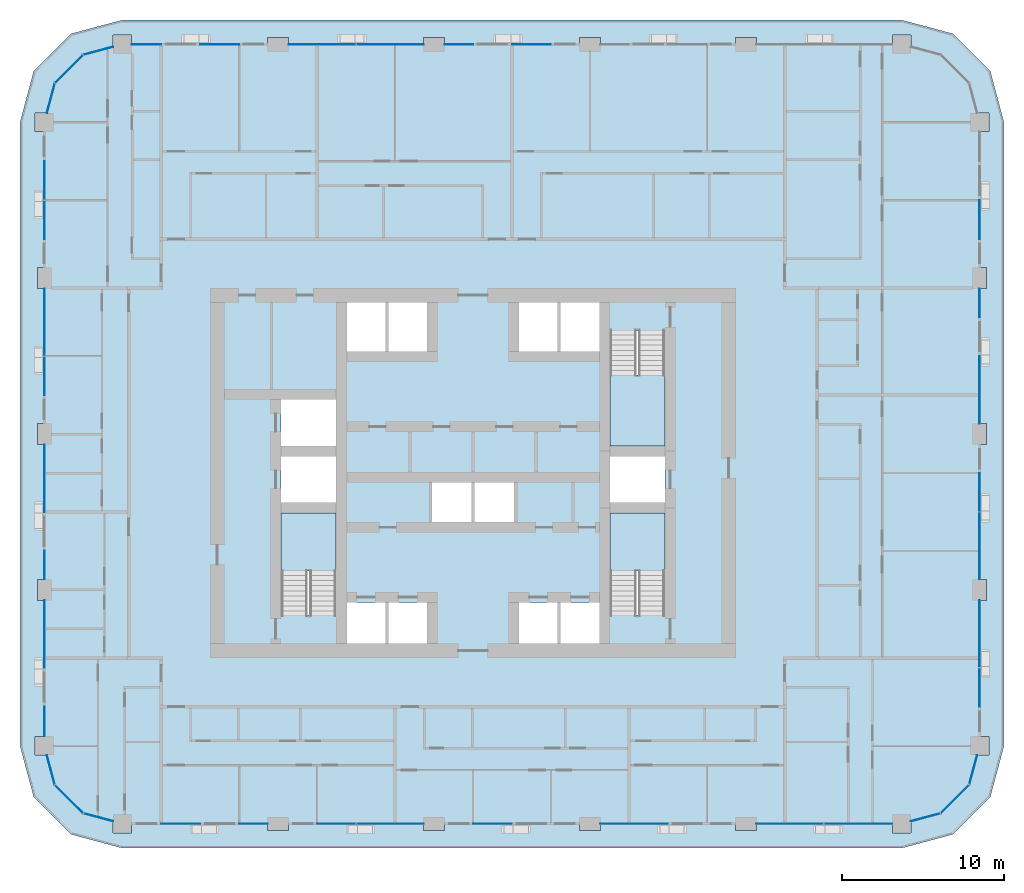
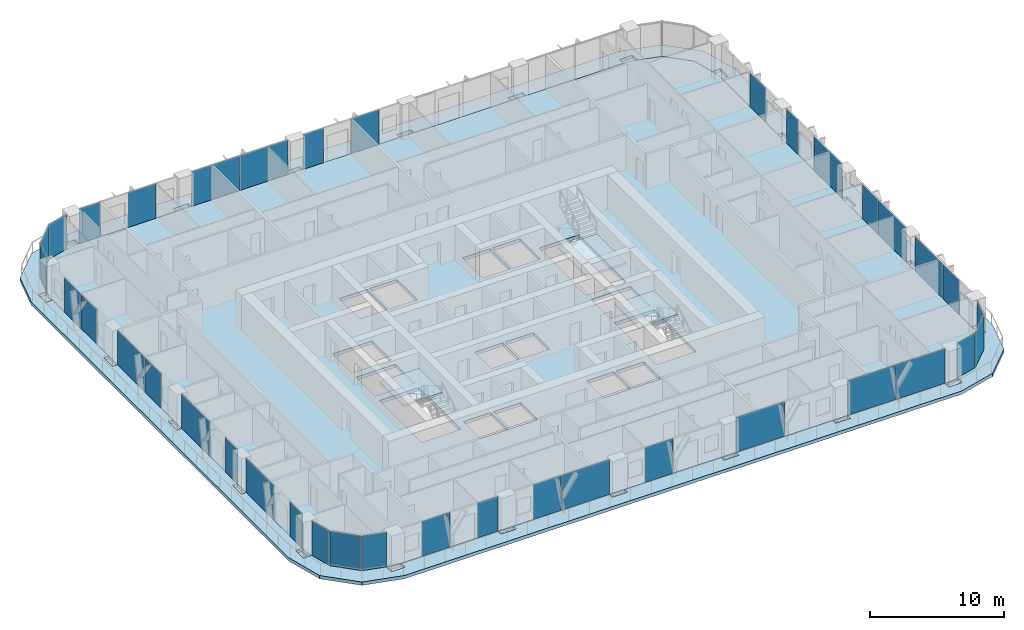
# One storey, part 7 of 22: 38 plates, 5 slabs, 22 elements without a shape of their own.
"""IFC4 building model written with IfcOpenShell, lengths in metres."""

from ifc_helpers import new_model, si_unit, direction, frame, origin, origin_2d, place, context, subcontext, project, spatial, polyline, rectangle, outline, extrude, material, layer, layer_set, type_object, element, aggregate, save


model = new_model("IFC4")

# Units and contexts
model_context = context("Model", 3, precision=1e-05, world=origin(), true_north=direction((0.0, 1.0)))
body_context = subcontext(model_context, "Body", "Model", "MODEL_VIEW")
ifc_project = project(units=[si_unit("LENGTHUNIT", "METRE"), si_unit("AREAUNIT", "SQUARE_METRE"), si_unit("VOLUMEUNIT", "CUBIC_METRE"), si_unit("PLANEANGLEUNIT", "RADIAN"), si_unit("MASSUNIT", "GRAM", prefix="KILO")], contexts=[model_context])

# Site, building, storey
site_placement = place(None, origin())
site = spatial("IfcSite", under=ifc_project, at=site_placement, CompositionType="ELEMENT")
building_placement = place(site_placement, origin())
building = spatial("IfcBuilding", under=site, at=building_placement, Name="Madar Terraces", CompositionType="ELEMENT")
storey_placement = place(building_placement, frame((0.0, 0.0, 103.199951171875)))
storey = spatial("IfcBuildingStorey", under=building, at=storey_placement, Name="L26", CompositionType="ELEMENT", Elevation=103.199951171875)

# Slabs
ifc_material_1 = material(Name="Concrete C50/60", Category="concrete")
ifc_layer_1 = layer(ifc_material_1, 0.300048828125)
ifc_layer_set_1 = layer_set([ifc_layer_1], Name="Balcony band 300")
slab_type_1 = type_object("IfcSlabType", Name="Balcony band 300", PredefinedType="FLOOR", material=ifc_layer_set_1)
slab_1_placement = place(storey_placement, frame((0.0, 0.0, -0.300048828125)))
element("IfcSlab", 1, at=slab_1_placement, inside=storey, type_object=slab_type_1, Name="Balcony band", PredefinedType="FLOOR", context=body_context, shape_type="SweptSolid", body=[
    extrude(outline(polyline([(9.60009765625, 3.300048828125), (6.449951171875, 4.14404296875), (4.14404296875, 6.449951171875), (3.300048828125, 9.60009765625), (3.300048828125, 48.0), (4.14404296875, 51.14990234375), (6.449951171875, 53.4560546875), (9.60009765625, 54.300048828125), (57.60009765625, 54.300048828125), (60.75, 53.4560546875), (63.055908203125, 51.14990234375), (63.89990234375, 48.0), (63.89990234375, 9.60009765625), (63.055908203125, 6.449951171875), (60.75, 4.14404296875), (57.60009765625, 3.300048828125), (9.60009765625, 3.300048828125)]), holes=[polyline([(10.175048828125, 4.22509765625), (10.175048828125, 4.800048828125), (18.550048828125, 4.800048828125), (18.550048828125, 4.375), (19.85009765625, 4.375), (19.85009765625, 4.800048828125), (28.14990234375, 4.800048828125), (28.14990234375, 4.375), (29.449951171875, 4.375), (29.449951171875, 4.800048828125), (37.75, 4.800048828125), (37.75, 4.375), (39.050048828125, 4.375), (39.050048828125, 4.800048828125), (47.35009765625, 4.800048828125), (47.35009765625, 4.375), (48.64990234375, 4.375), (48.64990234375, 4.800048828125), (57.02490234375, 4.800048828125), (57.02490234375, 4.22509765625), (58.175048828125, 4.22509765625), (58.175048828125, 4.9541015625), (60.0, 5.443115234375), (61.7568359375, 7.199951171875), (62.245849609375, 9.02490234375), (62.97509765625, 9.02490234375), (62.97509765625, 10.175048828125), (62.39990234375, 10.175048828125), (62.39990234375, 18.550048828125), (62.824951171875, 18.550048828125), (62.824951171875, 19.85009765625), (62.39990234375, 19.85009765625), (62.39990234375, 28.14990234375), (62.824951171875, 28.14990234375), (62.824951171875, 29.449951171875), (62.39990234375, 29.449951171875), (62.39990234375, 37.75), (62.824951171875, 37.75), (62.824951171875, 39.050048828125), (62.39990234375, 39.050048828125), (62.39990234375, 47.425048828125), (62.97509765625, 47.425048828125), (62.97509765625, 48.574951171875), (62.245849609375, 48.574951171875), (61.7568359375, 50.39990234375), (60.0, 52.156982421875), (58.175048828125, 52.64599609375), (58.175048828125, 53.375), (57.02490234375, 53.375), (57.02490234375, 52.800048828125), (48.64990234375, 52.800048828125), (48.64990234375, 53.22509765625), (47.35009765625, 53.22509765625), (47.35009765625, 52.800048828125), (39.050048828125, 52.800048828125), (39.050048828125, 53.22509765625), (37.75, 53.22509765625), (37.75, 52.800048828125), (29.449951171875, 52.800048828125), (29.449951171875, 53.22509765625), (28.14990234375, 53.22509765625), (28.14990234375, 52.800048828125), (19.85009765625, 52.800048828125), (19.85009765625, 53.22509765625), (18.550048828125, 53.22509765625), (18.550048828125, 52.800048828125), (10.175048828125, 52.800048828125), (10.175048828125, 53.375), (9.02490234375, 53.375), (9.02490234375, 52.64599609375), (7.199951171875, 52.156982421875), (5.443115234375, 50.39990234375), (4.9541015625, 48.574951171875), (4.22509765625, 48.574951171875), (4.22509765625, 47.425048828125), (4.800048828125, 47.425048828125), (4.800048828125, 39.050048828125), (4.375, 39.050048828125), (4.375, 37.75), (4.800048828125, 37.75), (4.800048828125, 29.449951171875), (4.375, 29.449951171875), (4.375, 28.14990234375), (4.800048828125, 28.14990234375), (4.800048828125, 19.85009765625), (4.375, 19.85009765625), (4.375, 18.550048828125), (4.800048828125, 18.550048828125), (4.800048828125, 10.175048828125), (4.22509765625, 10.175048828125), (4.22509765625, 9.02490234375), (4.9541015625, 9.02490234375), (5.443115234375, 7.199951171875), (7.199951171875, 5.443115234375), (9.02490234375, 4.9541015625), (9.02490234375, 4.22509765625), (10.175048828125, 4.22509765625)])]), origin(), (0.0, 0.0, 1.0), 0.300048828125),
])
ifc_material_2 = material(Name="Concrete C50/60", Category="concrete")
ifc_layer_2 = layer(ifc_material_2, 0.300048828125)
ifc_layer_set_2 = layer_set([ifc_layer_2], Name="FS2 PT flat slab 300")
slab_type_2 = type_object("IfcSlabType", Name="FS2 PT flat slab 300", PredefinedType="FLOOR", material=ifc_layer_set_2)
slab_2_placement = place(storey_placement, frame((0.0, 0.0, -0.300048828125)))
element("IfcSlab", 2, at=slab_2_placement, inside=storey, type_object=slab_type_2, Name="Floor slab L26 (1)", PredefinedType="FLOOR", context=body_context, shape_type="SweptSolid", body=[
    extrude(outline(polyline([(57.60009765625, 4.800048828125), (60.0, 5.443115234375), (61.7568359375, 7.199951171875), (62.39990234375, 9.60009765625), (62.39990234375, 48.0), (61.7568359375, 50.39990234375), (60.0, 52.156982421875), (57.60009765625, 52.800048828125), (9.60009765625, 52.800048828125), (7.199951171875, 52.156982421875), (5.443115234375, 50.39990234375), (4.800048828125, 48.0), (4.800048828125, 9.60009765625), (5.443115234375, 7.199951171875), (7.199951171875, 5.443115234375), (9.60009765625, 4.800048828125), (57.60009765625, 4.800048828125)]), holes=[polyline([(23.425048828125, 15.89990234375), (23.425048828125, 18.425048828125), (25.800048828125, 18.425048828125), (25.800048828125, 15.89990234375), (23.425048828125, 15.89990234375)]), polyline([(26.0, 15.89990234375), (26.0, 18.425048828125), (28.375, 18.425048828125), (28.375, 15.89990234375), (26.0, 15.89990234375)]), polyline([(19.375, 17.64990234375), (19.375, 23.925048828125), (22.77490234375, 23.925048828125), (22.77490234375, 17.64990234375), (19.375, 17.64990234375)]), polyline([(28.675048828125, 23.375), (28.675048828125, 25.824951171875), (31.10009765625, 25.824951171875), (31.10009765625, 23.375), (28.675048828125, 23.375)]), polyline([(19.375, 24.574951171875), (19.375, 27.425048828125), (22.77490234375, 27.425048828125), (22.77490234375, 24.574951171875), (19.375, 24.574951171875)]), polyline([(19.375, 28.074951171875), (19.375, 30.925048828125), (22.77490234375, 30.925048828125), (22.77490234375, 28.074951171875), (19.375, 28.074951171875)]), polyline([(23.425048828125, 33.875), (23.425048828125, 36.89990234375), (25.800048828125, 36.89990234375), (25.800048828125, 33.875), (23.425048828125, 33.875)]), polyline([(26.0, 33.875), (26.0, 36.89990234375), (28.375, 36.89990234375), (28.375, 33.875), (26.0, 33.875)]), polyline([(34.02490234375, 15.89990234375), (34.02490234375, 18.425048828125), (36.39990234375, 18.425048828125), (36.39990234375, 15.89990234375), (34.02490234375, 15.89990234375)]), polyline([(36.60009765625, 15.89990234375), (36.60009765625, 18.425048828125), (38.97509765625, 18.425048828125), (38.97509765625, 15.89990234375), (36.60009765625, 15.89990234375)]), polyline([(39.625, 17.64990234375), (39.625, 23.925048828125), (43.02490234375, 23.925048828125), (43.02490234375, 17.64990234375), (39.625, 17.64990234375)]), polyline([(31.300048828125, 23.375), (31.300048828125, 25.824951171875), (33.72509765625, 25.824951171875), (33.72509765625, 23.375), (31.300048828125, 23.375)]), polyline([(39.625, 24.574951171875), (39.625, 27.425048828125), (43.02490234375, 27.425048828125), (43.02490234375, 24.574951171875), (39.625, 24.574951171875)]), polyline([(39.625, 28.074951171875), (39.625, 35.14990234375), (43.02490234375, 35.14990234375), (43.02490234375, 28.074951171875), (39.625, 28.074951171875)]), polyline([(34.02490234375, 33.875), (34.02490234375, 36.89990234375), (36.39990234375, 36.89990234375), (36.39990234375, 33.875), (34.02490234375, 33.875)]), polyline([(36.60009765625, 33.875), (36.60009765625, 36.89990234375), (38.97509765625, 36.89990234375), (38.97509765625, 33.875), (36.60009765625, 33.875)])]), origin(), (0.0, 0.0, 1.0), 0.300048828125),
])

# Curtain wall, plates
ifc_material_3 = material(Name="Glass, ceramic frit dark grey, with black aluminium frame", Category="aluminium")
ifc_layer_3 = layer(ifc_material_3, 0.199951171875)
ifc_layer_set_3 = layer_set([ifc_layer_3], Name="Facade curtain wall, fritted glass")
curtain_wall_type = type_object("IfcCurtainWallType", Name="Facade curtain wall, fritted glass", PredefinedType="NOTDEFINED", material=ifc_layer_set_3)
curtain_wall_1_placement = place(storey_placement, origin())
curtain_wall_1 = element("IfcCurtainWall", 3, at=curtain_wall_1_placement, inside=storey, type_object=curtain_wall_type, Name="Outer skin curtain wall south bay 1", PredefinedType="NOTDEFINED")
ifc_material_4 = material(Name="Glass, ceramic frit dark grey", Category="glass")
ifc_layer_4 = layer(ifc_material_4, 0.028076171875)
ifc_layer_set_4 = layer_set([ifc_layer_4], Name="Facade glass panel 28")
plate_type = type_object("IfcPlateType", Name="Facade glass panel 28", PredefinedType="CURTAIN_PANEL", material=ifc_layer_set_4)
plate_1_placement = place(storey_placement, frame((13.199951171875, 4.800048828125, 0.0), z_axis=(0.0, 0.0, 1.0), x_axis=(1.0, 0.0, 0.0)))
plate_1 = element("IfcPlate", 4, at=plate_1_placement, type_object=plate_type, Name="Panel 1", PredefinedType="CURTAIN_PANEL", context=body_context, shape_type="SweptSolid", body=[
    extrude(rectangle(XDim=2.39990234375, YDim=0.028076171875, at=origin_2d()), origin(), (0.0, 0.0, 1.0), 3.139892578125),
])
plate_2_placement = place(storey_placement, frame((17.675048828125, 4.800048828125, 0.0), z_axis=(0.0, 0.0, 1.0), x_axis=(1.0, 0.0, 0.0)))
plate_2 = element("IfcPlate", 5, at=plate_2_placement, type_object=plate_type, Name="Panel 2", PredefinedType="CURTAIN_PANEL", context=body_context, shape_type="SweptSolid", body=[
    extrude(rectangle(XDim=1.75, YDim=0.028076171875, at=origin_2d()), origin(), (0.0, 0.0, 1.0), 3.139892578125),
])
aggregate(curtain_wall_1, [plate_1, plate_2])

curtain_wall_2_placement = place(storey_placement, origin())
curtain_wall_2 = element("IfcCurtainWall", 6, at=curtain_wall_2_placement, inside=storey, type_object=curtain_wall_type, Name="Outer skin curtain wall south bay 2", PredefinedType="NOTDEFINED")
plate_3_placement = place(storey_placement, frame((22.784912109375, 4.800048828125, 0.0), z_axis=(0.0, 0.0, 1.0), x_axis=(1.0, 0.0, 0.0)))
plate_3 = element("IfcPlate", 7, at=plate_3_placement, type_object=plate_type, Name="Panel 1", PredefinedType="CURTAIN_PANEL", context=body_context, shape_type="SweptSolid", body=[
    extrude(rectangle(XDim=2.3701171875, YDim=0.028076171875, at=origin_2d()), origin(), (0.0, 0.0, 1.0), 3.139892578125),
])
plate_4_placement = place(storey_placement, frame((26.090087890625, 4.800048828125, 0.0), z_axis=(0.0, 0.0, 1.0), x_axis=(1.0, 0.0, 0.0)))
plate_4 = element("IfcPlate", 8, at=plate_4_placement, type_object=plate_type, Name="Panel 2", PredefinedType="CURTAIN_PANEL", context=body_context, shape_type="SweptSolid", body=[
    extrude(rectangle(XDim=4.1201171875, YDim=0.028076171875, at=origin_2d()), origin(), (0.0, 0.0, 1.0), 3.139892578125),
])
aggregate(curtain_wall_2, [plate_3, plate_4])

# Curtain wall, plate
curtain_wall_3_placement = place(storey_placement, origin())
curtain_wall_3 = element("IfcCurtainWall", 9, at=curtain_wall_3_placement, inside=storey, type_object=curtain_wall_type, Name="Outer skin curtain wall south bay 3", PredefinedType="NOTDEFINED")
plate_5_placement = place(storey_placement, frame((32.39990234375, 4.800048828125, 0.0), z_axis=(0.0, 0.0, 1.0), x_axis=(1.0, 0.0, 0.0)))
plate_5 = element("IfcPlate", 10, at=plate_5_placement, type_object=plate_type, Name="Panel 1", PredefinedType="CURTAIN_PANEL", context=body_context, shape_type="SweptSolid", body=[
    extrude(rectangle(XDim=2.39990234375, YDim=0.028076171875, at=origin_2d()), origin(), (0.0, 0.0, 1.0), 3.139892578125),
])
aggregate(curtain_wall_3, [plate_5])

curtain_wall_4_placement = place(storey_placement, origin())
curtain_wall_4 = element("IfcCurtainWall", 11, at=curtain_wall_4_placement, inside=storey, type_object=curtain_wall_type, Name="Outer skin curtain wall south bay 4", PredefinedType="NOTDEFINED")
plate_6_placement = place(storey_placement, frame((41.125, 4.800048828125, 0.0), z_axis=(0.0, 0.0, 1.0), x_axis=(1.0, 0.0, 0.0)))
plate_6 = element("IfcPlate", 12, at=plate_6_placement, type_object=plate_type, Name="Panel 1", PredefinedType="CURTAIN_PANEL", context=body_context, shape_type="SweptSolid", body=[
    extrude(rectangle(XDim=4.14990234375, YDim=0.028076171875, at=origin_2d()), origin(), (0.0, 0.0, 1.0), 3.139892578125),
])
aggregate(curtain_wall_4, [plate_6])

# Curtain wall, plates
curtain_wall_5_placement = place(storey_placement, origin())
curtain_wall_5 = element("IfcCurtainWall", 13, at=curtain_wall_5_placement, inside=storey, type_object=curtain_wall_type, Name="Outer skin curtain wall south bay 5", PredefinedType="NOTDEFINED")
plate_7_placement = place(storey_placement, frame((50.7099609375, 4.800048828125, 0.0), z_axis=(0.0, 0.0, 1.0), x_axis=(1.0, 0.0, 0.0)))
plate_7 = element("IfcPlate", 14, at=plate_7_placement, type_object=plate_type, Name="Panel 1", PredefinedType="CURTAIN_PANEL", context=body_context, shape_type="SweptSolid", body=[
    extrude(rectangle(XDim=4.1201171875, YDim=0.028076171875, at=origin_2d()), origin(), (0.0, 0.0, 1.0), 3.139892578125),
])
plate_8_placement = place(storey_placement, frame((54.927490234375, 4.800048828125, 0.0), z_axis=(0.0, 0.0, 1.0), x_axis=(1.0, 0.0, 0.0)))
plate_8 = element("IfcPlate", 15, at=plate_8_placement, type_object=plate_type, Name="Panel 2", PredefinedType="CURTAIN_PANEL", context=body_context, shape_type="SweptSolid", body=[
    extrude(rectangle(XDim=4.195068359375, YDim=0.028076171875, at=origin_2d()), origin(), (0.0, 0.0, 1.0), 3.139892578125),
])
aggregate(curtain_wall_5, [plate_7, plate_8])

curtain_wall_6_placement = place(storey_placement, origin())
curtain_wall_6 = element("IfcCurtainWall", 16, at=curtain_wall_6_placement, inside=storey, type_object=curtain_wall_type, Name="Outer skin curtain wall east bay 1", PredefinedType="NOTDEFINED")
plate_9_placement = place(storey_placement, frame((62.39990234375, 13.18505859375, 0.0), z_axis=(0.0, 0.0, 1.0), x_axis=(0.0, 1.0, 0.0)))
plate_9 = element("IfcPlate", 17, at=plate_9_placement, type_object=plate_type, Name="Panel 1", PredefinedType="CURTAIN_PANEL", context=body_context, shape_type="SweptSolid", body=[
    extrude(rectangle(XDim=2.3701171875, YDim=0.028076171875, at=origin_2d()), origin(), (0.0, 0.0, 1.0), 3.139892578125),
])
plate_10_placement = place(storey_placement, frame((62.39990234375, 16.489990234375, 0.0), z_axis=(0.0, 0.0, 1.0), x_axis=(0.0, 1.0, 0.0)))
plate_10 = element("IfcPlate", 18, at=plate_10_placement, type_object=plate_type, Name="Panel 2", PredefinedType="CURTAIN_PANEL", context=body_context, shape_type="SweptSolid", body=[
    extrude(rectangle(XDim=4.1201171875, YDim=0.028076171875, at=origin_2d()), origin(), (0.0, 0.0, 1.0), 3.139892578125),
])
aggregate(curtain_wall_6, [plate_9, plate_10])

curtain_wall_7_placement = place(storey_placement, origin())
curtain_wall_7 = element("IfcCurtainWall", 19, at=curtain_wall_7_placement, inside=storey, type_object=curtain_wall_type, Name="Outer skin curtain wall east bay 2", PredefinedType="NOTDEFINED")
plate_11_placement = place(storey_placement, frame((62.39990234375, 21.909912109375, 0.0), z_axis=(0.0, 0.0, 1.0), x_axis=(0.0, 1.0, 0.0)))
plate_11 = element("IfcPlate", 20, at=plate_11_placement, type_object=plate_type, Name="Panel 1", PredefinedType="CURTAIN_PANEL", context=body_context, shape_type="SweptSolid", body=[
    extrude(rectangle(XDim=4.1201171875, YDim=0.028076171875, at=origin_2d()), origin(), (0.0, 0.0, 1.0), 3.139892578125),
])
plate_12_placement = place(storey_placement, frame((62.39990234375, 25.215087890625, 0.0), z_axis=(0.0, 0.0, 1.0), x_axis=(0.0, 1.0, 0.0)))
plate_12 = element("IfcPlate", 21, at=plate_12_placement, type_object=plate_type, Name="Panel 2", PredefinedType="CURTAIN_PANEL", context=body_context, shape_type="SweptSolid", body=[
    extrude(rectangle(XDim=2.3701171875, YDim=0.028076171875, at=origin_2d()), origin(), (0.0, 0.0, 1.0), 3.139892578125),
])
aggregate(curtain_wall_7, [plate_11, plate_12])

curtain_wall_8_placement = place(storey_placement, origin())
curtain_wall_8 = element("IfcCurtainWall", 22, at=curtain_wall_8_placement, inside=storey, type_object=curtain_wall_type, Name="Outer skin curtain wall east bay 3", PredefinedType="NOTDEFINED")
plate_13_placement = place(storey_placement, frame((62.39990234375, 31.52490234375, 0.0), z_axis=(0.0, 0.0, 1.0), x_axis=(0.0, 1.0, 0.0)))
plate_13 = element("IfcPlate", 23, at=plate_13_placement, type_object=plate_type, Name="Panel 1", PredefinedType="CURTAIN_PANEL", context=body_context, shape_type="SweptSolid", body=[
    extrude(rectangle(XDim=4.14990234375, YDim=0.028076171875, at=origin_2d()), origin(), (0.0, 0.0, 1.0), 3.139892578125),
])
plate_14_placement = place(storey_placement, frame((62.39990234375, 36.875, 0.0), z_axis=(0.0, 0.0, 1.0), x_axis=(0.0, 1.0, 0.0)))
plate_14 = element("IfcPlate", 24, at=plate_14_placement, type_object=plate_type, Name="Panel 2", PredefinedType="CURTAIN_PANEL", context=body_context, shape_type="SweptSolid", body=[
    extrude(rectangle(XDim=1.75, YDim=0.028076171875, at=origin_2d()), origin(), (0.0, 0.0, 1.0), 3.139892578125),
])
aggregate(curtain_wall_8, [plate_13, plate_14])

# Curtain wall, plate
curtain_wall_9_placement = place(storey_placement, origin())
curtain_wall_9 = element("IfcCurtainWall", 25, at=curtain_wall_9_placement, inside=storey, type_object=curtain_wall_type, Name="Outer skin curtain wall east bay 4", PredefinedType="NOTDEFINED")
plate_15_placement = place(storey_placement, frame((62.39990234375, 42.0, 0.0), z_axis=(0.0, 0.0, 1.0), x_axis=(0.0, 1.0, 0.0)))
plate_15 = element("IfcPlate", 26, at=plate_15_placement, type_object=plate_type, Name="Panel 1", PredefinedType="CURTAIN_PANEL", context=body_context, shape_type="SweptSolid", body=[
    extrude(rectangle(XDim=2.39990234375, YDim=0.028076171875, at=origin_2d()), origin(), (0.0, 0.0, 1.0), 3.139892578125),
])
aggregate(curtain_wall_9, [plate_15])

# Curtain wall, plates
curtain_wall_10_placement = place(storey_placement, origin())
curtain_wall_10 = element("IfcCurtainWall", 27, at=curtain_wall_10_placement, inside=storey, type_object=curtain_wall_type, Name="Outer skin curtain wall north bay 3", PredefinedType="NOTDEFINED")
plate_16_placement = place(storey_placement, frame((34.800048828125, 52.800048828125, 0.0), z_axis=(0.0, 0.0, 1.0), x_axis=(-1.0, 0.0, 0.0)))
plate_16 = element("IfcPlate", 28, at=plate_16_placement, type_object=plate_type, Name="Panel 1", PredefinedType="CURTAIN_PANEL", context=body_context, shape_type="SweptSolid", body=[
    extrude(rectangle(XDim=2.39990234375, YDim=0.028076171875, at=origin_2d()), origin(), (0.0, 0.0, 1.0), 3.139892578125),
])
plate_17_placement = place(storey_placement, frame((30.324951171875, 52.800048828125, 0.0), z_axis=(0.0, 0.0, 1.0), x_axis=(-1.0, 0.0, 0.0)))
plate_17 = element("IfcPlate", 29, at=plate_17_placement, type_object=plate_type, Name="Panel 2", PredefinedType="CURTAIN_PANEL", context=body_context, shape_type="SweptSolid", body=[
    extrude(rectangle(XDim=1.75, YDim=0.028076171875, at=origin_2d()), origin(), (0.0, 0.0, 1.0), 3.139892578125),
])
aggregate(curtain_wall_10, [plate_16, plate_17])

curtain_wall_11_placement = place(storey_placement, origin())
curtain_wall_11 = element("IfcCurtainWall", 30, at=curtain_wall_11_placement, inside=storey, type_object=curtain_wall_type, Name="Outer skin curtain wall north bay 4", PredefinedType="NOTDEFINED")
plate_18_placement = place(storey_placement, frame((26.090087890625, 52.800048828125, 0.0), z_axis=(0.0, 0.0, 1.0), x_axis=(-1.0, 0.0, 0.0)))
plate_18 = element("IfcPlate", 31, at=plate_18_placement, type_object=plate_type, Name="Panel 1", PredefinedType="CURTAIN_PANEL", context=body_context, shape_type="SweptSolid", body=[
    extrude(rectangle(XDim=4.1201171875, YDim=0.028076171875, at=origin_2d()), origin(), (0.0, 0.0, 1.0), 3.139892578125),
])
plate_19_placement = place(storey_placement, frame((21.909912109375, 52.800048828125, 0.0), z_axis=(0.0, 0.0, 1.0), x_axis=(-1.0, 0.0, 0.0)))
plate_19 = element("IfcPlate", 32, at=plate_19_placement, type_object=plate_type, Name="Panel 2", PredefinedType="CURTAIN_PANEL", context=body_context, shape_type="SweptSolid", body=[
    extrude(rectangle(XDim=4.1201171875, YDim=0.028076171875, at=origin_2d()), origin(), (0.0, 0.0, 1.0), 3.139892578125),
])
aggregate(curtain_wall_11, [plate_18, plate_19])

curtain_wall_12_placement = place(storey_placement, origin())
curtain_wall_12 = element("IfcCurtainWall", 33, at=curtain_wall_12_placement, inside=storey, type_object=curtain_wall_type, Name="Outer skin curtain wall north bay 5", PredefinedType="NOTDEFINED")
plate_20_placement = place(storey_placement, frame((15.60009765625, 52.800048828125, 0.0), z_axis=(0.0, 0.0, 1.0), x_axis=(-1.0, 0.0, 0.0)))
plate_20 = element("IfcPlate", 34, at=plate_20_placement, type_object=plate_type, Name="Panel 1", PredefinedType="CURTAIN_PANEL", context=body_context, shape_type="SweptSolid", body=[
    extrude(rectangle(XDim=2.39990234375, YDim=0.028076171875, at=origin_2d()), origin(), (0.0, 0.0, 1.0), 3.139892578125),
])
plate_21_placement = place(storey_placement, frame((11.08740234375, 52.800048828125, 0.0), z_axis=(0.0, 0.0, 1.0), x_axis=(-1.0, 0.0, 0.0)))
plate_21 = element("IfcPlate", 35, at=plate_21_placement, type_object=plate_type, Name="Panel 2", PredefinedType="CURTAIN_PANEL", context=body_context, shape_type="SweptSolid", body=[
    extrude(rectangle(XDim=1.824951171875, YDim=0.028076171875, at=origin_2d()), origin(), (0.0, 0.0, 1.0), 3.139892578125),
])
aggregate(curtain_wall_12, [plate_20, plate_21])

curtain_wall_13_placement = place(storey_placement, origin())
curtain_wall_13 = element("IfcCurtainWall", 36, at=curtain_wall_13_placement, inside=storey, type_object=curtain_wall_type, Name="Outer skin curtain wall west bay 1", PredefinedType="NOTDEFINED")
plate_22_placement = place(storey_placement, frame((4.800048828125, 44.4150390625, 0.0), z_axis=(0.0, 0.0, 1.0), x_axis=(0.0, -1.0, 0.0)))
plate_22 = element("IfcPlate", 37, at=plate_22_placement, type_object=plate_type, Name="Panel 1", PredefinedType="CURTAIN_PANEL", context=body_context, shape_type="SweptSolid", body=[
    extrude(rectangle(XDim=2.3701171875, YDim=0.028076171875, at=origin_2d()), origin(), (0.0, 0.0, 1.0), 3.139892578125),
])
plate_23_placement = place(storey_placement, frame((4.800048828125, 41.985107421875, 0.0), z_axis=(0.0, 0.0, 1.0), x_axis=(0.0, -1.0, 0.0)))
plate_23 = element("IfcPlate", 38, at=plate_23_placement, type_object=plate_type, Name="Panel 2", PredefinedType="CURTAIN_PANEL", context=body_context, shape_type="SweptSolid", body=[
    extrude(rectangle(XDim=2.3701171875, YDim=0.028076171875, at=origin_2d()), origin(), (0.0, 0.0, 1.0), 3.139892578125),
])
aggregate(curtain_wall_13, [plate_22, plate_23])

curtain_wall_14_placement = place(storey_placement, origin())
curtain_wall_14 = element("IfcCurtainWall", 39, at=curtain_wall_14_placement, inside=storey, type_object=curtain_wall_type, Name="Outer skin curtain wall west bay 2", PredefinedType="NOTDEFINED")
plate_24_placement = place(storey_placement, frame((4.800048828125, 35.68994140625, 0.0), z_axis=(0.0, 0.0, 1.0), x_axis=(0.0, -1.0, 0.0)))
plate_24 = element("IfcPlate", 40, at=plate_24_placement, type_object=plate_type, Name="Panel 1", PredefinedType="CURTAIN_PANEL", context=body_context, shape_type="SweptSolid", body=[
    extrude(rectangle(XDim=4.1201171875, YDim=0.028076171875, at=origin_2d()), origin(), (0.0, 0.0, 1.0), 3.139892578125),
])
plate_25_placement = place(storey_placement, frame((4.800048828125, 32.385009765625, 0.0), z_axis=(0.0, 0.0, 1.0), x_axis=(0.0, -1.0, 0.0)))
plate_25 = element("IfcPlate", 41, at=plate_25_placement, type_object=plate_type, Name="Panel 2", PredefinedType="CURTAIN_PANEL", context=body_context, shape_type="SweptSolid", body=[
    extrude(rectangle(XDim=2.3701171875, YDim=0.028076171875, at=origin_2d()), origin(), (0.0, 0.0, 1.0), 3.139892578125),
])
aggregate(curtain_wall_14, [plate_24, plate_25])

curtain_wall_15_placement = place(storey_placement, origin())
curtain_wall_15 = element("IfcCurtainWall", 42, at=curtain_wall_15_placement, inside=storey, type_object=curtain_wall_type, Name="Outer skin curtain wall west bay 3", PredefinedType="NOTDEFINED")
plate_26_placement = place(storey_placement, frame((4.800048828125, 26.074951171875, 0.0), z_axis=(0.0, 0.0, 1.0), x_axis=(0.0, -1.0, 0.0)))
plate_26 = element("IfcPlate", 43, at=plate_26_placement, type_object=plate_type, Name="Panel 1", PredefinedType="CURTAIN_PANEL", context=body_context, shape_type="SweptSolid", body=[
    extrude(rectangle(XDim=4.14990234375, YDim=0.028076171875, at=origin_2d()), origin(), (0.0, 0.0, 1.0), 3.139892578125),
])
plate_27_placement = place(storey_placement, frame((4.800048828125, 20.72509765625, 0.0), z_axis=(0.0, 0.0, 1.0), x_axis=(0.0, -1.0, 0.0)))
plate_27 = element("IfcPlate", 44, at=plate_27_placement, type_object=plate_type, Name="Panel 2", PredefinedType="CURTAIN_PANEL", context=body_context, shape_type="SweptSolid", body=[
    extrude(rectangle(XDim=1.75, YDim=0.028076171875, at=origin_2d()), origin(), (0.0, 0.0, 1.0), 3.139892578125),
])
aggregate(curtain_wall_15, [plate_26, plate_27])

curtain_wall_16_placement = place(storey_placement, origin())
curtain_wall_16 = element("IfcCurtainWall", 45, at=curtain_wall_16_placement, inside=storey, type_object=curtain_wall_type, Name="Outer skin curtain wall west bay 4", PredefinedType="NOTDEFINED")
plate_28_placement = place(storey_placement, frame((4.800048828125, 16.47509765625, 0.0), z_axis=(0.0, 0.0, 1.0), x_axis=(0.0, -1.0, 0.0)))
plate_28 = element("IfcPlate", 46, at=plate_28_placement, type_object=plate_type, Name="Panel 1", PredefinedType="CURTAIN_PANEL", context=body_context, shape_type="SweptSolid", body=[
    extrude(rectangle(XDim=4.14990234375, YDim=0.028076171875, at=origin_2d()), origin(), (0.0, 0.0, 1.0), 3.139892578125),
])
plate_29_placement = place(storey_placement, frame((4.800048828125, 11.08740234375, 0.0), z_axis=(0.0, 0.0, 1.0), x_axis=(0.0, -1.0, 0.0)))
plate_29 = element("IfcPlate", 47, at=plate_29_placement, type_object=plate_type, Name="Panel 2", PredefinedType="CURTAIN_PANEL", context=body_context, shape_type="SweptSolid", body=[
    extrude(rectangle(XDim=1.824951171875, YDim=0.028076171875, at=origin_2d()), origin(), (0.0, 0.0, 1.0), 3.139892578125),
])
aggregate(curtain_wall_16, [plate_28, plate_29])

curtain_wall_17_placement = place(storey_placement, origin())
curtain_wall_17 = element("IfcCurtainWall", 48, at=curtain_wall_17_placement, inside=storey, type_object=curtain_wall_type, Name="Outer skin curtain wall south-east corner", PredefinedType="NOTDEFINED")
plate_30_placement = place(storey_placement, frame((59.072998046875, 5.194580078125, 0.0), z_axis=(0.0, 0.0, 1.0), x_axis=(0.965925832509, 0.258819021888, 0.0)))
plate_30 = element("IfcPlate", 49, at=plate_30_placement, type_object=plate_type, Name="Panel 1", PredefinedType="CURTAIN_PANEL", context=body_context, shape_type="SweptSolid", body=[
    extrude(rectangle(XDim=1.859375, YDim=0.028076171875, at=origin_2d()), origin(), (0.0, 0.0, 1.0), 3.139892578125),
])
plate_31_placement = place(storey_placement, frame((60.87841796875, 6.321533203125, 0.0), z_axis=(0.0, 0.0, 1.0), x_axis=(0.707106781187, 0.707106781187, 0.0)))
plate_31 = element("IfcPlate", 50, at=plate_31_placement, type_object=plate_type, Name="Panel 2", PredefinedType="CURTAIN_PANEL", context=body_context, shape_type="SweptSolid", body=[
    extrude(rectangle(XDim=2.424560546875, YDim=0.028076171875, at=origin_2d()), origin(), (0.0, 0.0, 1.0), 3.139892578125),
])
plate_32_placement = place(storey_placement, frame((62.00537109375, 8.126953125, 0.0), z_axis=(0.0, 0.0, 1.0), x_axis=(0.258819021888, 0.965925832509, 0.0)))
plate_32 = element("IfcPlate", 51, at=plate_32_placement, type_object=plate_type, Name="Panel 3", PredefinedType="CURTAIN_PANEL", context=body_context, shape_type="SweptSolid", body=[
    extrude(rectangle(XDim=1.859375, YDim=0.028076171875, at=origin_2d()), origin(), (0.0, 0.0, 1.0), 3.139892578125),
])
aggregate(curtain_wall_17, [plate_30, plate_31, plate_32])

curtain_wall_18_placement = place(storey_placement, origin())
curtain_wall_18 = element("IfcCurtainWall", 52, at=curtain_wall_18_placement, inside=storey, type_object=curtain_wall_type, Name="Outer skin curtain wall north-west corner", PredefinedType="NOTDEFINED")
plate_33_placement = place(storey_placement, frame((8.126953125, 52.4052734375, 0.0), z_axis=(0.0, 0.0, 1.0), x_axis=(-0.965925832509, -0.258819021888, 0.0)))
plate_33 = element("IfcPlate", 53, at=plate_33_placement, type_object=plate_type, Name="Panel 1", PredefinedType="CURTAIN_PANEL", context=body_context, shape_type="SweptSolid", body=[
    extrude(rectangle(XDim=1.859375, YDim=0.028076171875, at=origin_2d()), origin(), (0.0, 0.0, 1.0), 3.139892578125),
])
plate_34_placement = place(storey_placement, frame((6.321533203125, 51.278564453125, 0.0), z_axis=(0.0, 0.0, 1.0), x_axis=(-0.707106781187, -0.707106781187, 0.0)))
plate_34 = element("IfcPlate", 54, at=plate_34_placement, type_object=plate_type, Name="Panel 2", PredefinedType="CURTAIN_PANEL", context=body_context, shape_type="SweptSolid", body=[
    extrude(rectangle(XDim=2.424560546875, YDim=0.028076171875, at=origin_2d()), origin(), (0.0, 0.0, 1.0), 3.139892578125),
])
plate_35_placement = place(storey_placement, frame((5.194580078125, 49.472900390625, 0.0), z_axis=(0.0, 0.0, 1.0), x_axis=(-0.258819021888, -0.965925832509, 0.0)))
plate_35 = element("IfcPlate", 55, at=plate_35_placement, type_object=plate_type, Name="Panel 3", PredefinedType="CURTAIN_PANEL", context=body_context, shape_type="SweptSolid", body=[
    extrude(rectangle(XDim=1.859375, YDim=0.028076171875, at=origin_2d()), origin(), (0.0, 0.0, 1.0), 3.139892578125),
])
aggregate(curtain_wall_18, [plate_33, plate_34, plate_35])

curtain_wall_19_placement = place(storey_placement, origin())
curtain_wall_19 = element("IfcCurtainWall", 56, at=curtain_wall_19_placement, inside=storey, type_object=curtain_wall_type, Name="Outer skin curtain wall south-west corner", PredefinedType="NOTDEFINED")
plate_36_placement = place(storey_placement, frame((5.194580078125, 8.126953125, 0.0), z_axis=(0.0, 0.0, 1.0), x_axis=(0.258819021888, -0.965925832509, 0.0)))
plate_36 = element("IfcPlate", 57, at=plate_36_placement, type_object=plate_type, Name="Panel 1", PredefinedType="CURTAIN_PANEL", context=body_context, shape_type="SweptSolid", body=[
    extrude(rectangle(XDim=1.859375, YDim=0.028076171875, at=origin_2d()), origin(), (0.0, 0.0, 1.0), 3.139892578125),
])
plate_37_placement = place(storey_placement, frame((6.321533203125, 6.321533203125, 0.0), z_axis=(0.0, 0.0, 1.0), x_axis=(0.707106781187, -0.707106781187, 0.0)))
plate_37 = element("IfcPlate", 58, at=plate_37_placement, type_object=plate_type, Name="Panel 2", PredefinedType="CURTAIN_PANEL", context=body_context, shape_type="SweptSolid", body=[
    extrude(rectangle(XDim=2.424560546875, YDim=0.028076171875, at=origin_2d()), origin(), (0.0, 0.0, 1.0), 3.139892578125),
])
plate_38_placement = place(storey_placement, frame((8.126953125, 5.194580078125, 0.0), z_axis=(0.0, 0.0, 1.0), x_axis=(0.965925832509, -0.258819021888, 0.0)))
plate_38 = element("IfcPlate", 59, at=plate_38_placement, type_object=plate_type, Name="Panel 3", PredefinedType="CURTAIN_PANEL", context=body_context, shape_type="SweptSolid", body=[
    extrude(rectangle(XDim=1.859375, YDim=0.028076171875, at=origin_2d()), origin(), (0.0, 0.0, 1.0), 3.139892578125),
])
aggregate(curtain_wall_19, [plate_36, plate_37, plate_38])

# Stair, slab
ifc_material_5 = material(Name="Concrete C50/60", Category="concrete")
stair_type_1 = type_object("IfcStairType", Name="Stair ST1 protected exit", PredefinedType="HALF_TURN_STAIR", material=ifc_material_5)
stair_1_placement = place(storey_placement, origin())
stair_1 = element("IfcStair", 60, at=stair_1_placement, inside=storey, type_object=stair_type_1, Name="L26 Protected Exit Stair ST1", PredefinedType="HALF_TURN_STAIR")
ifc_material_6 = material(Name="Concrete C50/60", Category="concrete")
ifc_layer_5 = layer(ifc_material_6, 0.199951171875)
ifc_layer_set_5 = layer_set([ifc_layer_5], Name="Stair landing 200, top +1.75")
slab_type_3 = type_object("IfcSlabType", Name="Stair landing 200, top +1.75", PredefinedType="LANDING", material=ifc_layer_set_5)
slab_3_placement = place(storey_placement, frame((0.0, 0.0, 1.550048828125)))
slab_3 = element("IfcSlab", 61, at=slab_3_placement, type_object=slab_type_3, Name="ST1 landing 1", PredefinedType="LANDING", context=body_context, shape_type="SweptSolid", body=[
    extrude(outline(polyline([(19.375, 20.360107421875), (22.77490234375, 20.360107421875), (22.77490234375, 23.925048828125), (19.375, 23.925048828125), (19.375, 20.360107421875)])), origin(), (0.0, 0.0, 1.0), 0.199951171875),
])
aggregate(stair_1, [slab_3])

ifc_material_7 = material(Name="Concrete C50/60", Category="concrete")
stair_type_2 = type_object("IfcStairType", Name="Stair ST2 protected exit", PredefinedType="HALF_TURN_STAIR", material=ifc_material_7)
stair_2_placement = place(storey_placement, origin())
stair_2 = element("IfcStair", 62, at=stair_2_placement, inside=storey, type_object=stair_type_2, Name="L26 Protected Exit Stair ST2", PredefinedType="HALF_TURN_STAIR")
slab_4_placement = place(storey_placement, frame((0.0, 0.0, 1.550048828125)))
slab_4 = element("IfcSlab", 63, at=slab_4_placement, type_object=slab_type_3, Name="ST2 landing 1", PredefinedType="LANDING", context=body_context, shape_type="SweptSolid", body=[
    extrude(outline(polyline([(39.625, 28.074951171875), (43.02490234375, 28.074951171875), (43.02490234375, 32.43994140625), (39.625, 32.43994140625), (39.625, 28.074951171875)])), origin(), (0.0, 0.0, 1.0), 0.199951171875),
])
aggregate(stair_2, [slab_4])

ifc_material_8 = material(Name="Concrete C50/60", Category="concrete")
stair_type_3 = type_object("IfcStairType", Name="Stair ST3 protected exit", PredefinedType="HALF_TURN_STAIR", material=ifc_material_8)
stair_3_placement = place(storey_placement, origin())
stair_3 = element("IfcStair", 64, at=stair_3_placement, inside=storey, type_object=stair_type_3, Name="L26 Protected Exit Stair ST3", PredefinedType="HALF_TURN_STAIR")
slab_5_placement = place(storey_placement, frame((0.0, 0.0, 1.550048828125)))
slab_5 = element("IfcSlab", 65, at=slab_5_placement, type_object=slab_type_3, Name="ST3 landing 1", PredefinedType="LANDING", context=body_context, shape_type="SweptSolid", body=[
    extrude(outline(polyline([(39.625, 20.360107421875), (43.02490234375, 20.360107421875), (43.02490234375, 23.925048828125), (39.625, 23.925048828125), (39.625, 20.360107421875)])), origin(), (0.0, 0.0, 1.0), 0.199951171875),
])
aggregate(stair_3, [slab_5])

save(model, "model.ifc")
